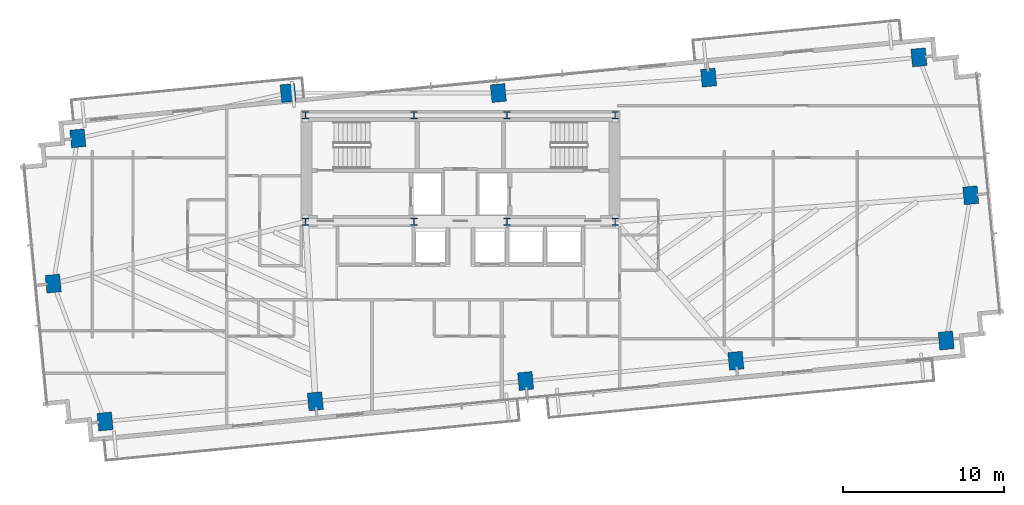
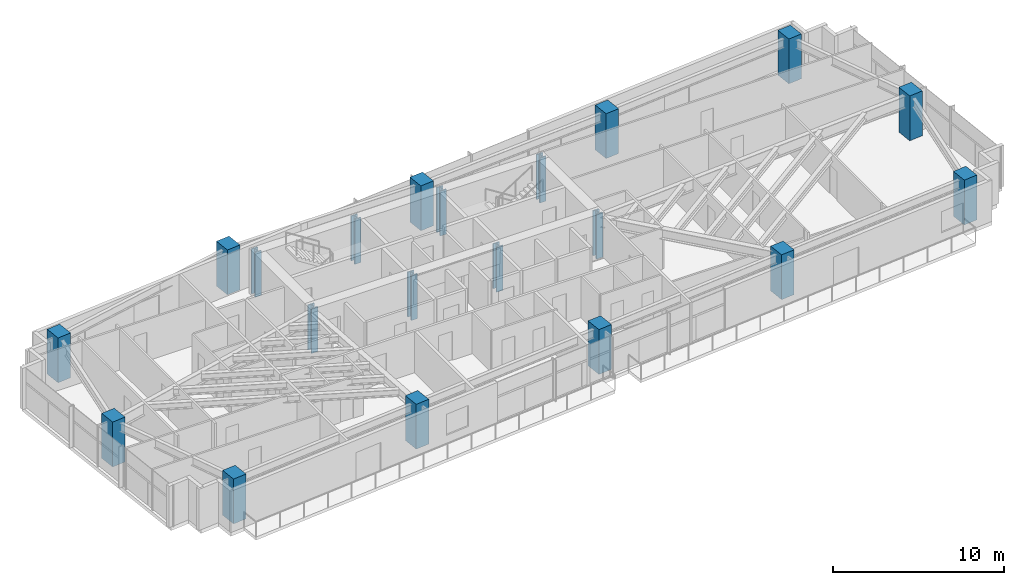
# One storey, part 1 of 25: 20 columns.
"""IFC4 building model written with IfcOpenShell, lengths in metres."""

from ifc_helpers import new_model, si_unit, direction, frame, origin, origin_2d, place, context, subcontext, project, spatial, rectangle, i_section, extrude, source, transform, mapped, material, material_profile, profile_set, type_object, type_shapes, element, save


model = new_model("IFC4")

# Units and contexts
model_context = context("Model", 3, precision=1e-05, world=origin(), true_north=direction((0.0, 1.0)))
body_context = subcontext(model_context, "Body", "Model", "MODEL_VIEW")
ifc_project = project(units=[si_unit("LENGTHUNIT", "METRE"), si_unit("AREAUNIT", "SQUARE_METRE"), si_unit("VOLUMEUNIT", "CUBIC_METRE"), si_unit("PLANEANGLEUNIT", "RADIAN"), si_unit("MASSUNIT", "GRAM", prefix="KILO")], contexts=[model_context])

# Site, building, storey
site_placement = place(None, origin())
site = spatial("IfcSite", under=ifc_project, at=site_placement, CompositionType="ELEMENT")
building_placement = place(site_placement, origin())
building = spatial("IfcBuilding", under=site, at=building_placement, Name="Astriad Promenade Condominiums", CompositionType="ELEMENT")
storey_placement = place(building_placement, frame((0.0, 0.0, 106.60009765625)))
storey = spatial("IfcBuildingStorey", under=building, at=storey_placement, Name="L30", CompositionType="ELEMENT", Elevation=106.60009765625)

# Columns
ifc_material_1 = material(Name="Steel ASTM A992 Grade 50", Category="steel")
ifc_material_profile_1 = material_profile(ifc_material_1, i_section(OverallWidth=0.427490234375, OverallDepth=0.483154296875, WebThickness=0.05126953125, FlangeThickness=0.08154296875, FilletRadius=0.017822265625, at=origin_2d()), Name="W14X455")
ifc_profile_set_1 = profile_set([ifc_material_profile_1], Name="Steel ASTM A992 Grade 50")
column_type_1 = type_object("IfcColumnType", Name="STEEL CORE PILASTER W14X455", PredefinedType="PILASTER", material=ifc_profile_set_1)
shared_shape_1 = source(origin(), body_context, "Body", "SweptSolid", [
    extrude(i_section(OverallWidth=0.427490234375, OverallDepth=0.483154296875, WebThickness=0.05126953125, FlangeThickness=0.08154296875, FilletRadius=0.017822265625, at=origin_2d()), origin(), (0.0, 0.0, 1.0), 3.196044921875),
])
type_shapes(column_type_1, [shared_shape_1])
for number, where, z_axis, x_axis, name in (
    (1, (26.39990234375, 17.39990234375, 0.001953125), (0.0, 0.0, 1.0), (1.0, 0.0, 0.0), "Core Pilaster Column CP1 (L30)"),
    (2, (33.1201171875, 17.39990234375, 0.001953125), (0.0, 0.0, 1.0), (1.0, 0.0, 0.0), "Core Pilaster Column CP2 (L30)"),
    (3, (38.8798828125, 17.39990234375, 0.001953125), (0.0, 0.0, 1.0), (1.0, 0.0, 0.0), "Core Pilaster Column CP3 (L30)"),
    (4, (45.60009765625, 17.39990234375, 0.001953125), (0.0, 0.0, 1.0), (1.0, 0.0, 0.0), "Core Pilaster Column CP4 (L30)"),
    (5, (26.39990234375, 24.0, 0.001953125), (0.0, 0.0, 1.0), (1.0, 0.0, 0.0), "Core Pilaster Column CP5 (L30)"),
    (6, (33.1201171875, 24.0, 0.001953125), (0.0, 0.0, 1.0), (1.0, 0.0, 0.0), "Core Pilaster Column CP6 (L30)"),
    (7, (38.8798828125, 24.0, 0.001953125), (0.0, 0.0, 1.0), (1.0, 0.0, 0.0), "Core Pilaster Column CP7 (L30)"),
    (8, (45.60009765625, 24.0, 0.001953125), (0.0, 0.0, 1.0), (1.0, 0.0, 0.0), "Core Pilaster Column CP8 (L30)"),
):
    element("IfcColumn", number, at=place(storey_placement, frame(where, z_axis=z_axis, x_axis=x_axis)), inside=storey, type_object=column_type_1, Name=name, PredefinedType="PILASTER", context=body_context, shape_type="MappedRepresentation", body=[
        mapped(shared_shape_1, transform((0.0, 0.0, 0.0), scale=1.0)),
    ])
ifc_material_2 = material(Name="Concrete C60/75", Category="concrete")
ifc_material_profile_2 = material_profile(ifc_material_2, rectangle(XDim=0.89990234375, YDim=1.10009765625, at=origin_2d()), Name="RC-COL-1100X900")
ifc_profile_set_2 = profile_set([ifc_material_profile_2], Name="Concrete C60/75")
column_type_2 = type_object("IfcColumnType", Name="CONCRETE TOWER COLUMN 1100X900", PredefinedType="COLUMN", material=ifc_profile_set_2)
shared_shape_2 = source(origin(), body_context, "Body", "SweptSolid", [
    extrude(rectangle(XDim=0.89990234375, YDim=1.10009765625, at=origin_2d()), origin(), (0.0, 0.0, 1.0), 3.196044921875),
])
type_shapes(column_type_2, [shared_shape_2])
for number, where, z_axis, x_axis, name in (
    (9, (13.966064453125, 5.009521484375, 0.001953125), (0.0, 0.0, 1.0), (0.995396198367, 0.09584575252, 0.0), "Perimeter Column PC01 (L30)"),
    (10, (27.005615234375, 6.264892578125, 0.001953125), (0.0, 0.0, 1.0), (0.995396198367, 0.09584575252, 0.0), "Perimeter Column PC02 (L30)"),
    (11, (40.04541015625, 7.5205078125, 0.001953125), (0.0, 0.0, 1.0), (0.995396198367, 0.09584575252, 0.0), "Perimeter Column PC03 (L30)"),
    (12, (53.0849609375, 8.776123046875, 0.001953125), (0.0, 0.0, 1.0), (0.995396198367, 0.09584575252, 0.0), "Perimeter Column PC04 (L30)"),
    (13, (66.124755859375, 10.03173828125, 0.001953125), (0.0, 0.0, 1.0), (0.995396198367, 0.09584575252, 0.0), "Perimeter Column PC05 (L30)"),
    (14, (12.275390625, 22.568115234375, 0.001953125), (0.0, 0.0, 1.0), (0.995396198367, 0.09584575252, 0.0), "Perimeter Column PC06 (L30)"),
    (15, (25.31494140625, 25.3798828125, 0.001953125), (0.0, 0.0, 1.0), (0.995396198367, 0.09584575252, 0.0), "Perimeter Column PC07 (L30)"),
    (16, (38.3544921875, 25.3798828125, 0.001953125), (0.0, 0.0, 1.0), (0.995396198367, 0.09584575252, 0.0), "Perimeter Column PC08 (L30)"),
    (17, (51.394287109375, 26.3349609375, 0.001953125), (0.0, 0.0, 1.0), (0.995396198367, 0.09584575252, 0.0), "Perimeter Column PC09 (L30)"),
    (18, (64.43408203125, 27.590576171875, 0.001953125), (0.0, 0.0, 1.0), (0.995396198367, 0.09584575252, 0.0), "Perimeter Column PC10 (L30)"),
    (19, (10.751708984375, 13.560791015625, 0.001953125), (0.0, 0.0, 1.0), (0.995396198367, 0.09584575252, 0.0), "Perimeter Column PC11 (L30)"),
    (20, (67.6484375, 19.039306640625, 0.001953125), (0.0, 0.0, 1.0), (0.995396198367, 0.09584575252, 0.0), "Perimeter Column PC12 (L30)"),
):
    element("IfcColumn", number, at=place(storey_placement, frame(where, z_axis=z_axis, x_axis=x_axis)), inside=storey, type_object=column_type_2, Name=name, PredefinedType="COLUMN", context=body_context, shape_type="MappedRepresentation", body=[
        mapped(shared_shape_2, transform((0.0, 0.0, 0.0), scale=1.0)),
    ])

save(model, "model.ifc")
